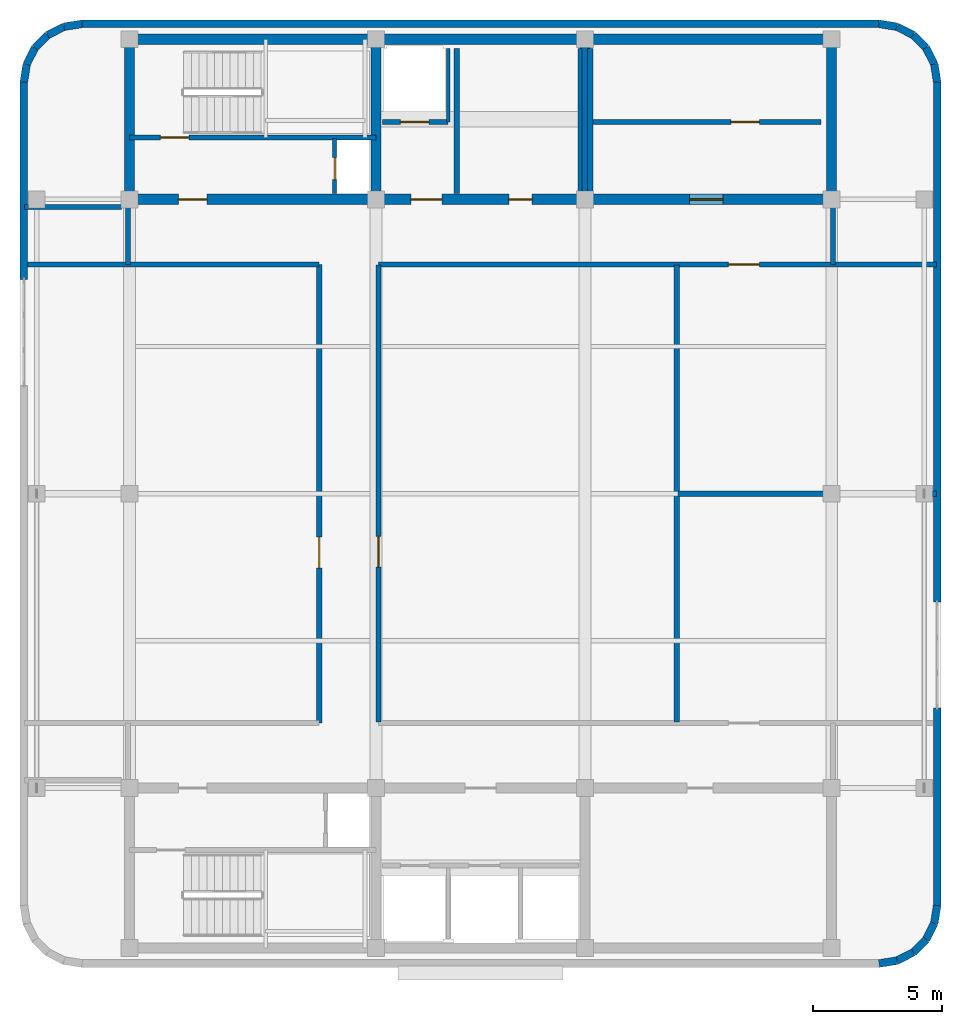
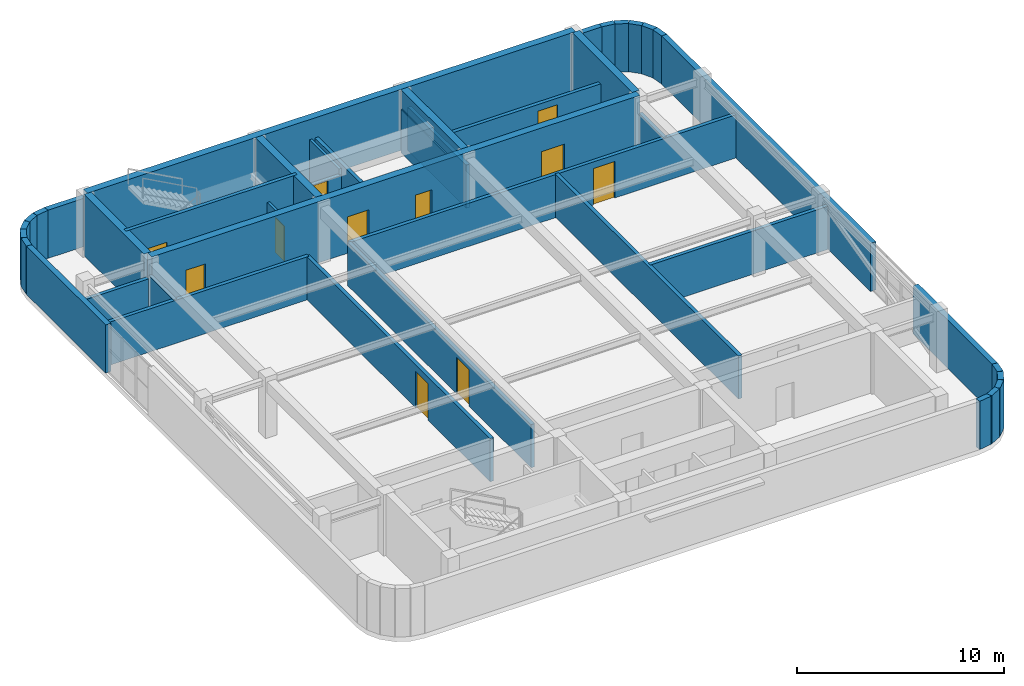
# One storey, part 5 of 9: 42 walls, 11 doors, 11 openings.
"""IFC4 building model written with IfcOpenShell, lengths in metres."""

from ifc_helpers import new_model, si_unit, direction, frame, frame_2d, origin, place, context, subcontext, project, spatial, rectangle, extrude, material, layer, layer_set, type_object, element, fill, save


model = new_model("IFC4")

# Units and contexts
model_context = context("Model", 3, precision=1e-05, world=origin(), true_north=direction((0.0, 1.0)))
body_context = subcontext(model_context, "Body", "Model", "MODEL_VIEW")
ifc_project = project(units=[si_unit("LENGTHUNIT", "METRE"), si_unit("AREAUNIT", "SQUARE_METRE"), si_unit("VOLUMEUNIT", "CUBIC_METRE"), si_unit("PLANEANGLEUNIT", "RADIAN"), si_unit("MASSUNIT", "GRAM", prefix="KILO")], contexts=[model_context])

# Site, building, storey
site_placement = place(None, origin())
site = spatial("IfcSite", under=ifc_project, at=site_placement, CompositionType="ELEMENT")
building_placement = place(site_placement, origin())
building = spatial("IfcBuilding", under=site, at=building_placement, Name="Svetorya Sky Lyceum", CompositionType="ELEMENT")
storey_placement = place(building_placement, frame((0.0, 0.0, 305.60009765625)))
storey = spatial("IfcBuildingStorey", under=building, at=storey_placement, Name="C02", CompositionType="ELEMENT", Elevation=305.60009765625)

# Walls
ifc_material_1 = material(Name="Concrete C40/50", Category="concrete")
ifc_layer_1 = layer(ifc_material_1, 0.39990234375)
ifc_layer_set_1 = layer_set([ifc_layer_1], Name="Concrete C40/50")
wall_type_1 = type_object("IfcWallType", Name="WL-CORE-400", PredefinedType="SHEAR", material=ifc_layer_set_1)
wall_1_placement = place(storey_placement, frame((25.60009765625, 45.800048828125, 0.0), z_axis=(0.0, 0.0, 1.0), x_axis=(1.0, 0.0, 0.0)))
element("IfcWall", 1, at=wall_1_placement, inside=storey, type_object=wall_type_1, Name="C02 NC Outer Core Shear Wall", PredefinedType="SHEAR", context=body_context, shape_type="SweptSolid", body=[
    extrude(rectangle(XDim=27.199951171875, YDim=0.39990234375, at=frame_2d((13.60009765625, 0.0))), origin(), (0.0, 0.0, 1.0), 3.599853515625),
])
for number, where, z_axis, x_axis, name in (
    (2, (25.60009765625, 39.800048828125, 0.0), (0.0, 0.0, 1.0), (0.0, 1.0, 0.0), "C02 NC West Core Shear Wall"),
    (3, (52.800048828125, 39.800048828125, 0.0), (0.0, 0.0, 1.0), (0.0, 1.0, 0.0), "C02 NC East Core Shear Wall"),
):
    element("IfcWall", number, at=place(storey_placement, frame(where, z_axis=z_axis, x_axis=x_axis)), inside=storey, type_object=wall_type_1, Name=name, PredefinedType="SHEAR", context=body_context, shape_type="SweptSolid", body=[
        extrude(rectangle(XDim=5.800048828125, YDim=0.39990234375, at=frame_2d((2.89990234375, 0.0))), origin(), (0.0, 0.0, 1.0), 3.599853515625),
    ])

# Wall, openings, doors
wall_2_placement = place(storey_placement, frame((52.800048828125, 39.60009765625, 0.0), z_axis=(0.0, 0.0, 1.0), x_axis=(-1.0, 0.0, 0.0)))
wall_2 = element("IfcWall", 4, at=wall_2_placement, inside=storey, type_object=wall_type_1, Name="C02 NC Inner Core Shear Wall", PredefinedType="SHEAR", context=body_context, shape_type="SweptSolid", body=[
    extrude(rectangle(XDim=27.199951171875, YDim=0.39990234375, at=frame_2d((13.60009765625, 0.0))), origin(), (0.0, 0.0, 1.0), 3.599853515625),
])
opening_1_placement = place(wall_2_placement, frame((24.199951171875, 0.0, 0.0)))
opening_1 = element("IfcOpeningElement", 5, at=opening_1_placement, cuts=wall_2, Name="Opening D-ST1", PredefinedType="OPENING", context=body_context, shape_type="SweptSolid", body=[
    extrude(rectangle(XDim=1.10009765625, YDim=2.14990234375, at=frame_2d((0.550048828125, 1.074951171875))), frame((0.0, 0.2099609375, 0.0), z_axis=(0.0, -1.0, 0.0), x_axis=(1.0, 0.0, 0.0)), (0.0, 0.0, 1.0), 0.419921875),
])
opening_2_placement = place(wall_2_placement, frame((15.10009765625, 0.0, 0.0)))
opening_2 = element("IfcOpeningElement", 6, at=opening_2_placement, cuts=wall_2, Name="Opening D-FL1", PredefinedType="OPENING", context=body_context, shape_type="SweptSolid", body=[
    extrude(rectangle(XDim=1.199951171875, YDim=2.14990234375, at=frame_2d((0.60009765625, 1.074951171875))), frame((0.0, 0.2099609375, 0.0), z_axis=(0.0, -1.0, 0.0), x_axis=(1.0, 0.0, 0.0)), (0.0, 0.0, 1.0), 0.419921875),
])
opening_3_placement = place(wall_2_placement, frame((11.60009765625, 0.0, 0.0)))
opening_3 = element("IfcOpeningElement", 7, at=opening_3_placement, cuts=wall_2, Name="Opening D-RM1", PredefinedType="OPENING", context=body_context, shape_type="SweptSolid", body=[
    extrude(rectangle(XDim=0.89990234375, YDim=2.10009765625, at=frame_2d((0.449951171875, 1.050048828125))), frame((0.0, 0.2099609375, 0.0), z_axis=(0.0, -1.0, 0.0), x_axis=(1.0, 0.0, 0.0)), (0.0, 0.0, 1.0), 0.419921875),
])
opening_4_placement = place(wall_2_placement, frame((4.199951171875, 0.0, 0.0)))
opening_4 = element("IfcOpeningElement", 8, at=opening_4_placement, cuts=wall_2, Name="Opening D-LB1", PredefinedType="OPENING", context=body_context, shape_type="SweptSolid", body=[
    extrude(rectangle(XDim=1.300048828125, YDim=2.199951171875, at=frame_2d((0.64990234375, 1.10009765625))), frame((0.0, 0.2099609375, 0.0), z_axis=(0.0, -1.0, 0.0), x_axis=(1.0, 0.0, 0.0)), (0.0, 0.0, 1.0), 0.419921875),
])
ifc_material_2 = material(Name="Powder-coated insulated galvanized stair fire door")
door_type_1 = type_object("IfcDoorType", Name="DR-FIRE-1100", OperationType="SINGLE_SWING_LEFT", PredefinedType="DOOR", material=ifc_material_2)
door_1_placement = place(opening_1_placement, origin())
door_1 = element("IfcDoor", 9, at=door_1_placement, inside=storey, type_object=door_type_1, Name="C02 North Stair Airlock Door", OperationType="SINGLE_SWING_LEFT", OverallHeight=2.14990234375, OverallWidth=1.10009765625, PredefinedType="DOOR", context=body_context, shape_type="SweptSolid", body=[
    extrude(rectangle(XDim=1.10009765625, YDim=2.14990234375, at=frame_2d((0.550048828125, 1.074951171875))), frame((0.0, 0.02490234375, 0.0), z_axis=(0.0, -1.0, 0.0), x_axis=(1.0, 0.0, 0.0)), (0.0, 0.0, 1.0), 0.050048828125),
])
fill(opening_1, door_1)
ifc_material_3 = material(Name="Powder-coated insulated galvanized fire door")
door_type_2 = type_object("IfcDoorType", Name="DR-FIRE-1200", OperationType="SINGLE_SWING_LEFT", PredefinedType="DOOR", material=ifc_material_3)
door_2_placement = place(opening_2_placement, origin())
door_2 = element("IfcDoor", 10, at=door_2_placement, inside=storey, type_object=door_type_2, Name="C02 North Firefighting Lift Lobby Door", OperationType="SINGLE_SWING_RIGHT", OverallHeight=2.14990234375, OverallWidth=1.199951171875, PredefinedType="DOOR", context=body_context, shape_type="SweptSolid", body=[
    extrude(rectangle(XDim=1.199951171875, YDim=2.14990234375, at=frame_2d((0.60009765625, 1.074951171875))), frame((0.0, 0.02490234375, 0.0), z_axis=(0.0, -1.0, 0.0), x_axis=(1.0, 0.0, 0.0)), (0.0, 0.0, 1.0), 0.050048828125),
])
fill(opening_2, door_2)
ifc_material_4 = material(Name="Lacquered birch veneer internal door")
door_type_3 = type_object("IfcDoorType", Name="DR-INT-900", OperationType="SINGLE_SWING_LEFT", PredefinedType="DOOR", material=ifc_material_4)
door_3_placement = place(opening_3_placement, origin())
door_3 = element("IfcDoor", 11, at=door_3_placement, inside=storey, type_object=door_type_3, Name="C02 Upper Archive Door", OperationType="SINGLE_SWING_LEFT", OverallHeight=2.10009765625, OverallWidth=0.89990234375, PredefinedType="DOOR", context=body_context, shape_type="SweptSolid", body=[
    extrude(rectangle(XDim=0.89990234375, YDim=2.10009765625, at=frame_2d((0.449951171875, 1.050048828125))), frame((0.0, 0.02490234375, 0.0), z_axis=(0.0, -1.0, 0.0), x_axis=(1.0, 0.0, 0.0)), (0.0, 0.0, 1.0), 0.050048828125),
])
fill(opening_3, door_3)
ifc_material_5 = material(Name="Glazed fire-rated aluminium lobby door", Category="aluminium")
door_type_4 = type_object("IfcDoorType", Name="DR-LOB-1300", OperationType="SINGLE_SWING_LEFT", PredefinedType="DOOR", material=ifc_material_5)
door_4_placement = place(opening_4_placement, origin())
door_4 = element("IfcDoor", 12, at=door_4_placement, inside=storey, type_object=door_type_4, Name="C02 Crown Access Lobby Door", OperationType="SINGLE_SWING_LEFT", OverallHeight=2.199951171875, OverallWidth=1.300048828125, PredefinedType="DOOR", context=body_context, shape_type="SweptSolid", body=[
    extrude(rectangle(XDim=1.300048828125, YDim=2.199951171875, at=frame_2d((0.64990234375, 1.10009765625))), frame((0.0, 0.02490234375, 0.0), z_axis=(0.0, -1.0, 0.0), x_axis=(1.0, 0.0, 0.0)), (0.0, 0.0, 1.0), 0.050048828125),
])
fill(opening_4, door_4)

# Walls
for number, where, z_axis, x_axis, name in (
    (13, (35.14990234375, 39.800048828125, 0.0), (0.0, 0.0, 1.0), (0.0, 1.0, 0.0), "C02 NC Internal Shear Web WEB1"),
    (14, (43.25, 39.800048828125, 0.0), (0.0, 0.0, 1.0), (0.0, 1.0, 0.0), "C02 NC Internal Shear Web WEB2"),
):
    element("IfcWall", number, at=place(storey_placement, frame(where, z_axis=z_axis, x_axis=x_axis)), inside=storey, type_object=wall_type_1, Name=name, PredefinedType="SHEAR", context=body_context, shape_type="SweptSolid", body=[
        extrude(rectangle(XDim=5.800048828125, YDim=0.39990234375, at=frame_2d((2.89990234375, 0.0))), origin(), (0.0, 0.0, 1.0), 3.599853515625),
    ])
ifc_material_6 = material(Name="Putilovo limestone rainscreen on autoclaved cellular masonry", Category="masonry")
ifc_layer_2 = layer(ifc_material_6, 0.300048828125)
ifc_layer_set_2 = layer_set([ifc_layer_2], Name="Putilovo limestone rainscreen on autoclaved cellular masonry")
wall_type_2 = type_object("IfcWallType", Name="WL-EXT-300", PredefinedType="SOLIDWALL", material=ifc_layer_set_2)
for number, where, z_axis, x_axis, name in (
    (15, (54.639892578125, 10.0, 0.0), (0.0, 0.0, 1.0), (0.987692567255, 0.156407776626, 0.0), "C02 Limestone Exterior Wall 7M"),
    (16, (55.335205078125, 10.110107421875, 0.0), (0.0, 0.0, 1.0), (0.891002438725, 0.453998517824, 0.0), "C02 Limestone Exterior Wall 8M"),
):
    element("IfcWall", number, at=place(storey_placement, frame(where, z_axis=z_axis, x_axis=x_axis)), inside=storey, type_object=wall_type_2, Name=name, PredefinedType="SOLIDWALL", context=body_context, shape_type="SweptSolid", body=[
        extrude(rectangle(XDim=0.703857421875, YDim=0.300048828125, at=frame_2d((0.35205078125, 0.0))), origin(), (0.0, 0.0, 1.0), 2.83984375),
    ])
wall_3_placement = place(storey_placement, frame((55.96240234375, 10.4296875, 0.0), z_axis=(0.0, 0.0, 1.0), x_axis=(0.707106781187, 0.707106781187, 0.0)))
element("IfcWall", 17, at=wall_3_placement, inside=storey, type_object=wall_type_2, Name="C02 Limestone Exterior Wall 9M", PredefinedType="SOLIDWALL", context=body_context, shape_type="SweptSolid", body=[
    extrude(rectangle(XDim=0.7041015625, YDim=0.300048828125, at=frame_2d((0.35205078125, 0.0))), origin(), (0.0, 0.0, 1.0), 2.83984375),
])
for number, where, z_axis, x_axis, name in (
    (18, (56.460205078125, 10.927490234375, 0.0), (0.0, 0.0, 1.0), (0.453998517824, 0.891002438725, 0.0), "C02 Limestone Exterior Wall 10M"),
    (19, (56.77978515625, 11.5546875, 0.0), (0.0, 0.0, 1.0), (0.156407776626, 0.987692567255, 0.0), "C02 Limestone Exterior Wall 11M"),
):
    element("IfcWall", number, at=place(storey_placement, frame(where, z_axis=z_axis, x_axis=x_axis)), inside=storey, type_object=wall_type_2, Name=name, PredefinedType="SOLIDWALL", context=body_context, shape_type="SweptSolid", body=[
        extrude(rectangle(XDim=0.703857421875, YDim=0.300048828125, at=frame_2d((0.35205078125, 0.0))), origin(), (0.0, 0.0, 1.0), 2.83984375),
    ])
wall_4_placement = place(storey_placement, frame((56.889892578125, 12.25, 0.0), z_axis=(0.0, 0.0, 1.0), x_axis=(0.0, 1.0, 0.0)))
element("IfcWall", 20, at=wall_4_placement, inside=storey, type_object=wall_type_2, Name="C02 Limestone Exterior Wall 12A", PredefinedType="SOLIDWALL", context=body_context, shape_type="SweptSolid", body=[
    extrude(rectangle(XDim=7.64990234375, YDim=0.300048828125, at=frame_2d((3.824951171875, 0.0))), origin(), (0.0, 0.0, 1.0), 2.83984375),
])
wall_5_placement = place(storey_placement, frame((56.889892578125, 24.0, 0.0), z_axis=(0.0, 0.0, 1.0), x_axis=(0.0, 1.0, 0.0)))
element("IfcWall", 21, at=wall_5_placement, inside=storey, type_object=wall_type_2, Name="C02 Limestone Exterior Wall 12B", PredefinedType="SOLIDWALL", context=body_context, shape_type="SweptSolid", body=[
    extrude(rectangle(XDim=20.14990234375, YDim=0.300048828125, at=frame_2d((10.074951171875, 0.0))), origin(), (0.0, 0.0, 1.0), 2.83984375),
])
for number, where, z_axis, x_axis, name in (
    (22, (56.889892578125, 44.14990234375, 0.0), (0.0, 0.0, 1.0), (-0.156407776626, 0.987692567255, 0.0), "C02 Limestone Exterior Wall 13M"),
    (23, (56.77978515625, 44.84521484375, 0.0), (0.0, 0.0, 1.0), (-0.453998517824, 0.891002438725, 0.0), "C02 Limestone Exterior Wall 14M"),
):
    element("IfcWall", number, at=place(storey_placement, frame(where, z_axis=z_axis, x_axis=x_axis)), inside=storey, type_object=wall_type_2, Name=name, PredefinedType="SOLIDWALL", context=body_context, shape_type="SweptSolid", body=[
        extrude(rectangle(XDim=0.703857421875, YDim=0.300048828125, at=frame_2d((0.35205078125, 0.0))), origin(), (0.0, 0.0, 1.0), 2.83984375),
    ])
wall_6_placement = place(storey_placement, frame((56.460205078125, 45.472412109375, 0.0), z_axis=(0.0, 0.0, 1.0), x_axis=(-0.707106781187, 0.707106781187, 0.0)))
element("IfcWall", 24, at=wall_6_placement, inside=storey, type_object=wall_type_2, Name="C02 Limestone Exterior Wall 15M", PredefinedType="SOLIDWALL", context=body_context, shape_type="SweptSolid", body=[
    extrude(rectangle(XDim=0.7041015625, YDim=0.300048828125, at=frame_2d((0.35205078125, 0.0))), origin(), (0.0, 0.0, 1.0), 2.83984375),
])
for number, where, z_axis, x_axis, name in (
    (25, (55.96240234375, 45.97021484375, 0.0), (0.0, 0.0, 1.0), (-0.891002438725, 0.453998517824, 0.0), "C02 Limestone Exterior Wall 16M"),
    (26, (55.335205078125, 46.289794921875, 0.0), (0.0, 0.0, 1.0), (-0.987692567255, 0.156407776626, 0.0), "C02 Limestone Exterior Wall 17M"),
):
    element("IfcWall", number, at=place(storey_placement, frame(where, z_axis=z_axis, x_axis=x_axis)), inside=storey, type_object=wall_type_2, Name=name, PredefinedType="SOLIDWALL", context=body_context, shape_type="SweptSolid", body=[
        extrude(rectangle(XDim=0.703857421875, YDim=0.300048828125, at=frame_2d((0.35205078125, 0.0))), origin(), (0.0, 0.0, 1.0), 2.83984375),
    ])
wall_7_placement = place(storey_placement, frame((54.639892578125, 46.39990234375, 0.0), z_axis=(0.0, 0.0, 1.0), x_axis=(-1.0, 0.0, 0.0)))
element("IfcWall", 27, at=wall_7_placement, inside=storey, type_object=wall_type_2, Name="C02 Limestone Exterior Wall 18M", PredefinedType="SOLIDWALL", context=body_context, shape_type="SweptSolid", body=[
    extrude(rectangle(XDim=30.8798828125, YDim=0.300048828125, at=frame_2d((15.43994140625, 0.0))), origin(), (0.0, 0.0, 1.0), 2.83984375),
])
for number, where, z_axis, x_axis, name in (
    (28, (23.760009765625, 46.39990234375, 0.0), (0.0, 0.0, 1.0), (-0.987692567255, -0.156407776626, 0.0), "C02 Limestone Exterior Wall 19M"),
    (29, (23.064697265625, 46.289794921875, 0.0), (0.0, 0.0, 1.0), (-0.891002438725, -0.453998517824, 0.0), "C02 Limestone Exterior Wall 20M"),
):
    element("IfcWall", number, at=place(storey_placement, frame(where, z_axis=z_axis, x_axis=x_axis)), inside=storey, type_object=wall_type_2, Name=name, PredefinedType="SOLIDWALL", context=body_context, shape_type="SweptSolid", body=[
        extrude(rectangle(XDim=0.703857421875, YDim=0.300048828125, at=frame_2d((0.35205078125, 0.0))), origin(), (0.0, 0.0, 1.0), 2.83984375),
    ])
wall_8_placement = place(storey_placement, frame((22.4375, 45.97021484375, 0.0), z_axis=(0.0, 0.0, 1.0), x_axis=(-0.707106781187, -0.707106781187, 0.0)))
element("IfcWall", 30, at=wall_8_placement, inside=storey, type_object=wall_type_2, Name="C02 Limestone Exterior Wall 21M", PredefinedType="SOLIDWALL", context=body_context, shape_type="SweptSolid", body=[
    extrude(rectangle(XDim=0.7041015625, YDim=0.300048828125, at=frame_2d((0.35205078125, 0.0))), origin(), (0.0, 0.0, 1.0), 2.83984375),
])
for number, where, z_axis, x_axis, name in (
    (31, (21.939697265625, 45.472412109375, 0.0), (0.0, 0.0, 1.0), (-0.453998517824, -0.891002438725, 0.0), "C02 Limestone Exterior Wall 22M"),
    (32, (21.6201171875, 44.84521484375, 0.0), (0.0, 0.0, 1.0), (-0.156407776626, -0.987692567255, 0.0), "C02 Limestone Exterior Wall 23M"),
):
    element("IfcWall", number, at=place(storey_placement, frame(where, z_axis=z_axis, x_axis=x_axis)), inside=storey, type_object=wall_type_2, Name=name, PredefinedType="SOLIDWALL", context=body_context, shape_type="SweptSolid", body=[
        extrude(rectangle(XDim=0.703857421875, YDim=0.300048828125, at=frame_2d((0.35205078125, 0.0))), origin(), (0.0, 0.0, 1.0), 2.83984375),
    ])
wall_9_placement = place(storey_placement, frame((21.510009765625, 44.14990234375, 0.0), z_axis=(0.0, 0.0, 1.0), x_axis=(0.0, -1.0, 0.0)))
element("IfcWall", 33, at=wall_9_placement, inside=storey, type_object=wall_type_2, Name="C02 Limestone Exterior Wall 24A", PredefinedType="SOLIDWALL", context=body_context, shape_type="SweptSolid", body=[
    extrude(rectangle(XDim=7.64990234375, YDim=0.300048828125, at=frame_2d((3.824951171875, 0.0))), origin(), (0.0, 0.0, 1.0), 2.83984375),
])

# Wall, opening, door
ifc_material_7 = material(Name="Autoclaved cellular masonry blockwork with acoustic render", Category="masonry")
ifc_layer_3 = layer(ifc_material_7, 0.14990234375)
ifc_layer_set_3 = layer_set([ifc_layer_3], Name="Autoclaved cellular masonry blockwork with acoustic render")
wall_type_3 = type_object("IfcWallType", Name="WL-PART-150", PredefinedType="PARTITIONING", material=ifc_layer_set_3)
wall_10_placement = place(storey_placement, frame((33.550048828125, 39.820068359375, 0.0), z_axis=(0.0, 0.0, 1.0), x_axis=(0.0, 1.0, 0.0)))
wall_10 = element("IfcWall", 34, at=wall_10_placement, inside=storey, type_object=wall_type_3, Name="C02 Interior Partition NC-RSRW", PredefinedType="PARTITIONING", context=body_context, shape_type="SweptSolid", body=[
    extrude(rectangle(XDim=2.1298828125, YDim=0.14990234375, at=frame_2d((1.06494140625, 0.0))), origin(), (0.0, 0.0, 1.0), 2.539794921875),
])
opening_5_placement = place(wall_10_placement, frame((0.550048828125, 0.0, 0.0)))
opening_5 = element("IfcOpeningElement", 35, at=opening_5_placement, cuts=wall_10, Name="Opening D-SH1", PredefinedType="OPENING", context=body_context, shape_type="SweptSolid", body=[
    extrude(rectangle(XDim=0.85009765625, YDim=2.050048828125, at=frame_2d((0.425048828125, 1.02490234375))), frame((0.0, 0.0849609375, 0.0), z_axis=(0.0, -1.0, 0.0), x_axis=(1.0, 0.0, 0.0)), (0.0, 0.0, 1.0), 0.169921875),
])
ifc_material_8 = material(Name="Insulated galvanized riser inspection fire door")
door_type_5 = type_object("IfcDoorType", Name="DR-SHFT-850", OperationType="SINGLE_SWING_LEFT", PredefinedType="TRAPDOOR", material=ifc_material_8)
door_5_placement = place(opening_5_placement, origin())
door_5 = element("IfcDoor", 36, at=door_5_placement, inside=storey, type_object=door_type_5, Name="C02 North Riser Access Door", OperationType="SINGLE_SWING_LEFT", OverallHeight=2.050048828125, OverallWidth=0.85009765625, PredefinedType="TRAPDOOR", context=body_context, shape_type="SweptSolid", body=[
    extrude(rectangle(XDim=0.85009765625, YDim=2.050048828125, at=frame_2d((0.425048828125, 1.02490234375))), frame((0.0, 0.02490234375, 0.0), z_axis=(0.0, -1.0, 0.0), x_axis=(1.0, 0.0, 0.0)), (0.0, 0.0, 1.0), 0.050048828125),
])
fill(opening_5, door_5)

# Walls
wall_11_placement = place(storey_placement, frame((37.949951171875, 42.60009765625, 0.0), z_axis=(0.0, 0.0, 1.0), x_axis=(0.0, 1.0, 0.0)))
element("IfcWall", 37, at=wall_11_placement, inside=storey, type_object=wall_type_3, Name="C02 Interior Partition NC-FL1SIDE", PredefinedType="PARTITIONING", context=body_context, shape_type="SweptSolid", body=[
    extrude(rectangle(XDim=2.849853515625, YDim=0.14990234375, at=frame_2d((1.4248046875, 0.0))), origin(), (0.0, 0.0, 1.0), 2.539794921875),
])
wall_12_placement = place(storey_placement, frame((43.050048828125, 39.820068359375, 0.0), z_axis=(0.0, 0.0, 1.0), x_axis=(0.0, 1.0, 0.0)))
element("IfcWall", 38, at=wall_12_placement, inside=storey, type_object=wall_type_3, Name="C02 Interior Partition NC-FPM-END", PredefinedType="PARTITIONING", context=body_context, shape_type="SweptSolid", body=[
    extrude(rectangle(XDim=5.6298828125, YDim=0.14990234375, at=frame_2d((2.81494140625, 0.0))), origin(), (0.0, 0.0, 1.0), 2.539794921875),
])

# Wall, opening, door
ifc_material_9 = material(Name="Autoclaved cellular masonry blockwork with gypsum plaster", Category="masonry")
ifc_layer_4 = layer(ifc_material_9, 0.199951171875)
ifc_layer_set_4 = layer_set([ifc_layer_4], Name="Autoclaved cellular masonry blockwork with gypsum plaster")
wall_type_4 = type_object("IfcWallType", Name="WL-PART-200", PredefinedType="PARTITIONING", material=ifc_layer_set_4)
wall_13_placement = place(storey_placement, frame((37.949951171875, 42.60009765625, 0.0), z_axis=(0.0, 0.0, 1.0), x_axis=(-1.0, 0.0, 0.0)))
wall_13 = element("IfcWall", 39, at=wall_13_placement, inside=storey, type_object=wall_type_4, Name="C02 Interior Partition NC-FL1W", PredefinedType="PARTITIONING", context=body_context, shape_type="SweptSolid", body=[
    extrude(rectangle(XDim=2.550048828125, YDim=0.199951171875, at=frame_2d((1.27490234375, 0.0))), origin(), (0.0, 0.0, 1.0), 2.199951171875),
])
opening_6_placement = place(wall_13_placement, frame((0.75, 0.0, 0.0)))
opening_6 = element("IfcOpeningElement", 40, at=opening_6_placement, cuts=wall_13, Name="Opening LD-FL", PredefinedType="OPENING", context=body_context, shape_type="SweptSolid", body=[
    extrude(rectangle(XDim=1.10009765625, YDim=2.14990234375, at=frame_2d((0.550048828125, 1.074951171875))), frame((0.0, 0.10986328125, 0.0), z_axis=(0.0, -1.0, 0.0), x_axis=(1.0, 0.0, 0.0)), (0.0, 0.0, 1.0), 0.219970703125),
])
ifc_material_10 = material(Name="Fire-rated stainless AISI 304 firefighting lift landing door")
door_type_6 = type_object("IfcDoorType", Name="DR-LIFT-1100", OperationType="SLIDING_TO_LEFT", PredefinedType="DOOR", material=ifc_material_10)
door_6_placement = place(opening_6_placement, origin())
door_6 = element("IfcDoor", 41, at=door_6_placement, inside=storey, type_object=door_type_6, Name="C02 Firefighting Lift FL1 Landing Door", OperationType="SLIDING_TO_LEFT", OverallHeight=2.14990234375, OverallWidth=1.10009765625, PredefinedType="DOOR", context=body_context, shape_type="SweptSolid", body=[
    extrude(rectangle(XDim=1.10009765625, YDim=2.14990234375, at=frame_2d((0.550048828125, 1.074951171875))), frame((0.0, 0.02490234375, 0.0), z_axis=(0.0, -1.0, 0.0), x_axis=(1.0, 0.0, 0.0)), (0.0, 0.0, 1.0), 0.050048828125),
])
fill(opening_6, door_6)

# Walls
for number, where, z_axis, x_axis, name in (
    (42, (38.280029296875, 39.820068359375, 0.0), (0.0, 0.0, 1.0), (0.0, 1.0, 0.0), "C02 Interior Partition NC-FFLDIV"),
    (43, (43.449951171875, 39.820068359375, 0.0), (0.0, 0.0, 1.0), (0.0, 1.0, 0.0), "C02 Interior Partition NC-CPMR-W"),
):
    element("IfcWall", number, at=place(storey_placement, frame(where, z_axis=z_axis, x_axis=x_axis)), inside=storey, type_object=wall_type_4, Name=name, PredefinedType="PARTITIONING", context=body_context, shape_type="SweptSolid", body=[
        extrude(rectangle(XDim=5.6298828125, YDim=0.199951171875, at=frame_2d((2.81494140625, 0.0))), origin(), (0.0, 0.0, 1.0), 2.539794921875),
    ])

# Wall, opening, door
wall_14_placement = place(storey_placement, frame((52.39990234375, 42.60009765625, 0.0), z_axis=(0.0, 0.0, 1.0), x_axis=(-1.0, 0.0, 0.0)))
wall_14 = element("IfcWall", 44, at=wall_14_placement, inside=storey, type_object=wall_type_4, Name="C02 Interior Partition NC-PHW", PredefinedType="PARTITIONING", context=body_context, shape_type="SweptSolid", body=[
    extrude(rectangle(XDim=8.849853515625, YDim=0.199951171875, at=frame_2d((4.4248046875, 0.0))), origin(), (0.0, 0.0, 1.0), 2.539794921875),
])
opening_7_placement = place(wall_14_placement, frame((2.39990234375, 0.0, 0.0)))
opening_7 = element("IfcOpeningElement", 45, at=opening_7_placement, cuts=wall_14, Name="Opening D-ST1", PredefinedType="OPENING", context=body_context, shape_type="SweptSolid", body=[
    extrude(rectangle(XDim=1.10009765625, YDim=2.14990234375, at=frame_2d((0.550048828125, 1.074951171875))), frame((0.0, 0.10986328125, 0.0), z_axis=(0.0, -1.0, 0.0), x_axis=(1.0, 0.0, 0.0)), (0.0, 0.0, 1.0), 0.219970703125),
])
door_7_placement = place(opening_7_placement, origin())
door_7 = element("IfcDoor", 46, at=door_7_placement, inside=storey, type_object=door_type_1, Name="C02 Lift Motor Room Door", OperationType="SINGLE_SWING_LEFT", OverallHeight=2.14990234375, OverallWidth=1.10009765625, PredefinedType="DOOR", context=body_context, shape_type="SweptSolid", body=[
    extrude(rectangle(XDim=1.10009765625, YDim=2.14990234375, at=frame_2d((0.550048828125, 1.074951171875))), frame((0.0, 0.02490234375, 0.0), z_axis=(0.0, -1.0, 0.0), x_axis=(1.0, 0.0, 0.0)), (0.0, 0.0, 1.0), 0.050048828125),
])
fill(opening_7, door_7)

# Wall
wall_15_placement = place(storey_placement, frame((21.530029296875, 37.080078125, 0.0), z_axis=(0.0, 0.0, 1.0), x_axis=(1.0, 0.0, 0.0)))
element("IfcWall", 47, at=wall_15_placement, inside=storey, type_object=wall_type_4, Name="C02 Interior Partition PL-NW", PredefinedType="PARTITIONING", context=body_context, shape_type="SweptSolid", body=[
    extrude(rectangle(XDim=11.419921875, YDim=0.199951171875, at=frame_2d((5.7099609375, 0.0))), origin(), (0.0, 0.0, 1.0), 2.539794921875),
])

# Wall, opening, door
wall_16_placement = place(storey_placement, frame((32.949951171875, 19.320068359375, 0.0), z_axis=(0.0, 0.0, 1.0), x_axis=(0.0, 1.0, 0.0)))
wall_16 = element("IfcWall", 48, at=wall_16_placement, inside=storey, type_object=wall_type_4, Name="C02 Interior Partition PL-W1", PredefinedType="PARTITIONING", context=body_context, shape_type="SweptSolid", body=[
    extrude(rectangle(XDim=17.760009765625, YDim=0.199951171875, at=frame_2d((8.8798828125, 0.0))), origin(), (0.0, 0.0, 1.0), 2.539794921875),
])
opening_8_placement = place(wall_16_placement, frame((6.0, 0.0, 0.0)))
opening_8 = element("IfcOpeningElement", 49, at=opening_8_placement, cuts=wall_16, Name="Opening D-FL1", PredefinedType="OPENING", context=body_context, shape_type="SweptSolid", body=[
    extrude(rectangle(XDim=1.199951171875, YDim=2.14990234375, at=frame_2d((0.60009765625, 1.074951171875))), frame((0.0, 0.10986328125, 0.0), z_axis=(0.0, -1.0, 0.0), x_axis=(1.0, 0.0, 0.0)), (0.0, 0.0, 1.0), 0.219970703125),
])
door_8_placement = place(opening_8_placement, origin())
door_8 = element("IfcDoor", 50, at=door_8_placement, inside=storey, type_object=door_type_2, Name="C02 West Plant Door", OperationType="SINGLE_SWING_LEFT", OverallHeight=2.14990234375, OverallWidth=1.199951171875, PredefinedType="DOOR", context=body_context, shape_type="SweptSolid", body=[
    extrude(rectangle(XDim=1.199951171875, YDim=2.14990234375, at=frame_2d((0.60009765625, 1.074951171875))), frame((0.0, 0.02490234375, 0.0), z_axis=(0.0, -1.0, 0.0), x_axis=(1.0, 0.0, 0.0)), (0.0, 0.0, 1.0), 0.050048828125),
])
fill(opening_8, door_8)

wall_17_placement = place(storey_placement, frame((35.25, 19.35009765625, 0.0), z_axis=(0.0, 0.0, 1.0), x_axis=(0.0, 1.0, 0.0)))
wall_17 = element("IfcWall", 51, at=wall_17_placement, inside=storey, type_object=wall_type_4, Name="C02 Interior Partition PL-W2", PredefinedType="PARTITIONING", context=body_context, shape_type="SweptSolid", body=[
    extrude(rectangle(XDim=17.699951171875, YDim=0.199951171875, at=frame_2d((8.85009765625, 0.0))), origin(), (0.0, 0.0, 1.0), 2.539794921875),
])
opening_9_placement = place(wall_17_placement, frame((6.0, 0.0, 0.0)))
opening_9 = element("IfcOpeningElement", 52, at=opening_9_placement, cuts=wall_17, Name="Opening D-FL1", PredefinedType="OPENING", context=body_context, shape_type="SweptSolid", body=[
    extrude(rectangle(XDim=1.199951171875, YDim=2.14990234375, at=frame_2d((0.60009765625, 1.074951171875))), frame((0.0, 0.10986328125, 0.0), z_axis=(0.0, -1.0, 0.0), x_axis=(1.0, 0.0, 0.0)), (0.0, 0.0, 1.0), 0.219970703125),
])
door_9_placement = place(opening_9_placement, origin())
door_9 = element("IfcDoor", 53, at=door_9_placement, inside=storey, type_object=door_type_2, Name="C02 Central Plant Door", OperationType="SINGLE_SWING_RIGHT", OverallHeight=2.14990234375, OverallWidth=1.199951171875, PredefinedType="DOOR", context=body_context, shape_type="SweptSolid", body=[
    extrude(rectangle(XDim=1.199951171875, YDim=2.14990234375, at=frame_2d((0.60009765625, 1.074951171875))), frame((0.0, 0.02490234375, 0.0), z_axis=(0.0, -1.0, 0.0), x_axis=(1.0, 0.0, 0.0)), (0.0, 0.0, 1.0), 0.050048828125),
])
fill(opening_9, door_9)

# Walls
wall_18_placement = place(storey_placement, frame((46.800048828125, 19.35009765625, 0.0), z_axis=(0.0, 0.0, 1.0), x_axis=(0.0, 1.0, 0.0)))
element("IfcWall", 54, at=wall_18_placement, inside=storey, type_object=wall_type_4, Name="C02 Interior Partition PL-W3", PredefinedType="PARTITIONING", context=body_context, shape_type="SweptSolid", body=[
    extrude(rectangle(XDim=17.699951171875, YDim=0.199951171875, at=frame_2d((8.85009765625, 0.0))), origin(), (0.0, 0.0, 1.0), 2.539794921875),
])
wall_19_placement = place(storey_placement, frame((46.85009765625, 28.199951171875, 0.0), z_axis=(0.0, 0.0, 1.0), x_axis=(1.0, 0.0, 0.0)))
element("IfcWall", 55, at=wall_19_placement, inside=storey, type_object=wall_type_4, Name="C02 Interior Partition PL-H3", PredefinedType="PARTITIONING", context=body_context, shape_type="SweptSolid", body=[
    extrude(rectangle(XDim=10.02001953125, YDim=0.199951171875, at=frame_2d((5.010009765625, 0.0))), origin(), (0.0, 0.0, 1.0), 2.539794921875),
])

# Wall, opening, door
wall_20_placement = place(storey_placement, frame((56.8701171875, 37.080078125, 0.0), z_axis=(0.0, 0.0, 1.0), x_axis=(-1.0, 0.0, 0.0)))
wall_20 = element("IfcWall", 56, at=wall_20_placement, inside=storey, type_object=wall_type_4, Name="C02 Interior Partition PL-N", PredefinedType="PARTITIONING", context=body_context, shape_type="SweptSolid", body=[
    extrude(rectangle(XDim=21.6201171875, YDim=0.199951171875, at=frame_2d((10.81005859375, 0.0))), origin(), (0.0, 0.0, 1.0), 2.539794921875),
])
opening_10_placement = place(wall_20_placement, frame((6.8701171875, 0.0, 0.0)))
opening_10 = element("IfcOpeningElement", 57, at=opening_10_placement, cuts=wall_20, Name="Opening D-FL1", PredefinedType="OPENING", context=body_context, shape_type="SweptSolid", body=[
    extrude(rectangle(XDim=1.199951171875, YDim=2.14990234375, at=frame_2d((0.60009765625, 1.074951171875))), frame((0.0, 0.10986328125, 0.0), z_axis=(0.0, -1.0, 0.0), x_axis=(1.0, 0.0, 0.0)), (0.0, 0.0, 1.0), 0.219970703125),
])
door_10_placement = place(opening_10_placement, origin())
door_10 = element("IfcDoor", 58, at=door_10_placement, inside=storey, type_object=door_type_2, Name="C02 North-East Plant Door", OperationType="SINGLE_SWING_RIGHT", OverallHeight=2.14990234375, OverallWidth=1.199951171875, PredefinedType="DOOR", context=body_context, shape_type="SweptSolid", body=[
    extrude(rectangle(XDim=1.199951171875, YDim=2.14990234375, at=frame_2d((0.60009765625, 1.074951171875))), frame((0.0, 0.02490234375, 0.0), z_axis=(0.0, -1.0, 0.0), x_axis=(1.0, 0.0, 0.0)), (0.0, 0.0, 1.0), 0.050048828125),
])
fill(opening_10, door_10)

# Walls
for number, where, z_axis, x_axis, name in (
    (59, (52.85009765625, 37.080078125, 0.0), (0.0, 0.0, 1.0), (0.0, 1.0, 0.0), "C02 Interior Partition PL-NE-END"),
    (60, (25.550048828125, 37.080078125, 0.0), (0.0, 0.0, 1.0), (0.0, 1.0, 0.0), "C02 Interior Partition PL-NW-END"),
):
    element("IfcWall", number, at=place(storey_placement, frame(where, z_axis=z_axis, x_axis=x_axis)), inside=storey, type_object=wall_type_4, Name=name, PredefinedType="PARTITIONING", context=body_context, shape_type="SweptSolid", body=[
        extrude(rectangle(XDim=2.369873046875, YDim=0.199951171875, at=frame_2d((1.18505859375, 0.0))), origin(), (0.0, 0.0, 1.0), 2.539794921875),
    ])
wall_21_placement = place(storey_placement, frame((21.530029296875, 39.300048828125, 0.0), z_axis=(0.0, 0.0, 1.0), x_axis=(1.0, 0.0, 0.0)))
element("IfcWall", 61, at=wall_21_placement, inside=storey, type_object=wall_type_4, Name="C02 Interior Partition PL-WN-CAP", PredefinedType="PARTITIONING", context=body_context, shape_type="SweptSolid", body=[
    extrude(rectangle(XDim=3.77001953125, YDim=0.199951171875, at=frame_2d((1.885009765625, 0.0))), origin(), (0.0, 0.0, 1.0), 2.539794921875),
])

# Wall, opening, door
ifc_material_11 = material(Name="Concrete C50/60", Category="concrete")
ifc_layer_5 = layer(ifc_material_11, 0.199951171875)
ifc_layer_set_5 = layer_set([ifc_layer_5], Name="Concrete C50/60")
wall_type_5 = type_object("IfcWallType", Name="WL-SHW-200", PredefinedType="SHEAR", material=ifc_layer_set_5)
wall_22_placement = place(storey_placement, frame((35.14990234375, 42.0, 0.0), z_axis=(0.0, 0.0, 1.0), x_axis=(-1.0, 0.0, 0.0)))
wall_22 = element("IfcWall", 62, at=wall_22_placement, inside=storey, type_object=wall_type_5, Name="C02 Structural Stair Shaft Wall NC-STW", PredefinedType="SHEAR", context=body_context, shape_type="SweptSolid", body=[
    extrude(rectangle(XDim=9.5498046875, YDim=0.199951171875, at=frame_2d((4.77490234375, 0.0))), origin(), (0.0, 0.0, 1.0), 3.599853515625),
])
opening_11_placement = place(wall_22_placement, frame((7.25, 0.0, 0.0)))
opening_11 = element("IfcOpeningElement", 63, at=opening_11_placement, cuts=wall_22, Name="Opening D-ST1", PredefinedType="OPENING", context=body_context, shape_type="SweptSolid", body=[
    extrude(rectangle(XDim=1.10009765625, YDim=2.14990234375, at=frame_2d((0.550048828125, 1.074951171875))), frame((0.0, 0.10986328125, 0.0), z_axis=(0.0, -1.0, 0.0), x_axis=(1.0, 0.0, 0.0)), (0.0, 0.0, 1.0), 0.219970703125),
])
door_11_placement = place(opening_11_placement, origin())
door_11 = element("IfcDoor", 64, at=door_11_placement, inside=storey, type_object=door_type_1, Name="C02 Stair ST-N Vestibule Fire Door", OperationType="SINGLE_SWING_RIGHT", OverallHeight=2.14990234375, OverallWidth=1.10009765625, PredefinedType="DOOR", context=body_context, shape_type="SweptSolid", body=[
    extrude(rectangle(XDim=1.10009765625, YDim=2.14990234375, at=frame_2d((0.550048828125, 1.074951171875))), frame((0.0, 0.02490234375, 0.0), z_axis=(0.0, -1.0, 0.0), x_axis=(1.0, 0.0, 0.0)), (0.0, 0.0, 1.0), 0.050048828125),
])
fill(opening_11, door_11)

save(model, "model.ifc")
